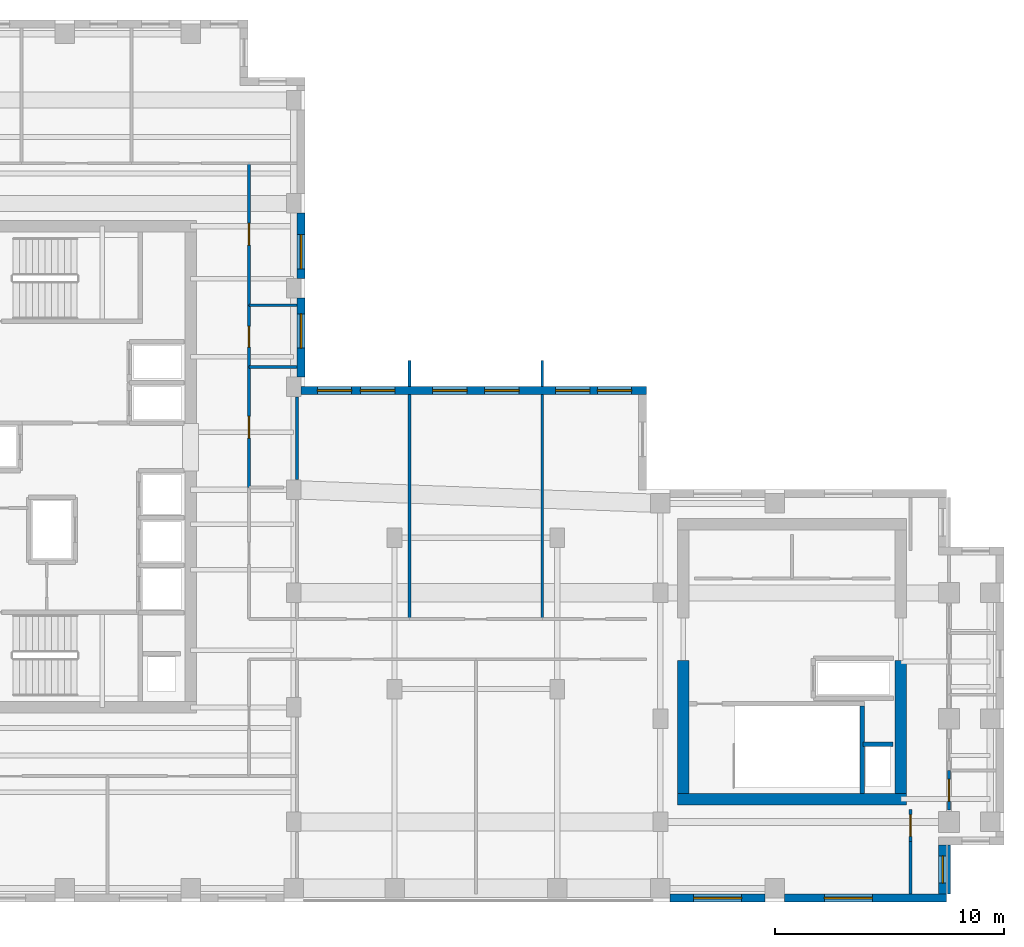
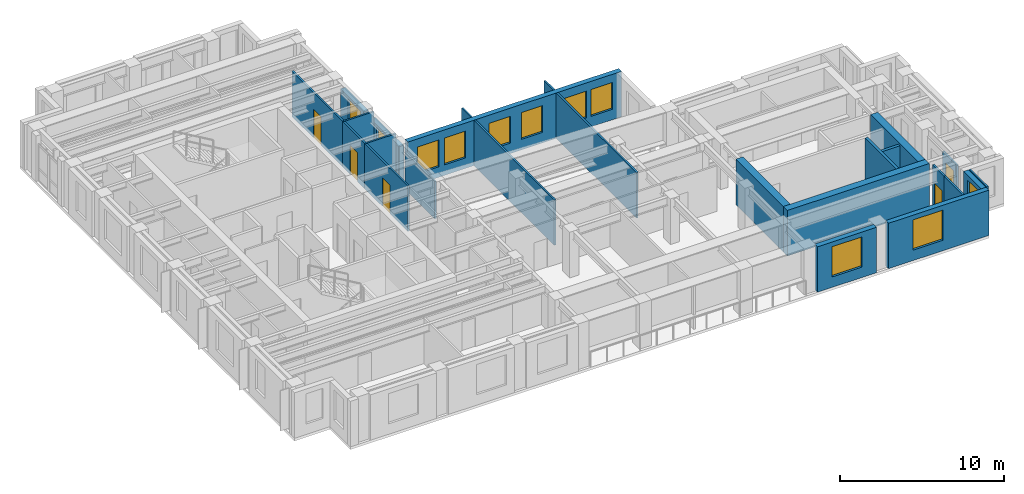
# One storey, part 8 of 13: 25 walls, 11 windows, 5 doors, 16 openings.
"""IFC4 building model written with IfcOpenShell, lengths in metres."""

from ifc_helpers import new_model, si_unit, direction, frame, frame_2d, origin, place, context, subcontext, project, spatial, rectangle, extrude, source, transform, mapped, material, layer, layer_set, type_object, element, fill, save


model = new_model("IFC4")

# Units and contexts
model_context = context("Model", 3, precision=1e-05, world=origin(), true_north=direction((0.0, 1.0)))
body_context = subcontext(model_context, "Body", "Model", "MODEL_VIEW")
ifc_project = project(units=[si_unit("LENGTHUNIT", "METRE"), si_unit("AREAUNIT", "SQUARE_METRE"), si_unit("VOLUMEUNIT", "CUBIC_METRE"), si_unit("PLANEANGLEUNIT", "RADIAN"), si_unit("MASSUNIT", "GRAM", prefix="KILO")], contexts=[model_context])

# Site, building, storey
site_placement = place(None, origin())
site = spatial("IfcSite", under=ifc_project, at=site_placement, CompositionType="ELEMENT")
building_placement = place(site_placement, origin())
building = spatial("IfcBuilding", under=site, at=building_placement, Name="Kharzan Plaza Tower", CompositionType="ELEMENT")
storey_placement = place(building_placement, frame((0.0, 0.0, 259.199951171875)))
storey = spatial("IfcBuildingStorey", under=building, at=storey_placement, Name="L70", CompositionType="ELEMENT", Elevation=259.199951171875)

# Wall, openings, windows
ifc_material_1 = material(Name="Concrete C40/50", Category="concrete")
ifc_layer_1 = layer(ifc_material_1, 0.35009765625)
ifc_layer_set_1 = layer_set([ifc_layer_1], Name="Concrete C40/50")
wall_type_1 = type_object("IfcWallType", Name="WL-EXT-MAS-Z4", PredefinedType="SOLIDWALL", material=ifc_layer_set_1)
wall_1_placement = place(storey_placement, frame((34.39990234375, 22.324951171875, 0.0), z_axis=(0.0, 0.0, 1.0), x_axis=(-1.0, 0.0, 0.0)))
wall_1 = element("IfcWall", 1, at=wall_1_placement, inside=storey, type_object=wall_type_1, Name="L70 Masonry-Frame Exterior Wall 01", PredefinedType="SOLIDWALL", context=body_context, shape_type="SweptSolid", body=[
    extrude(rectangle(XDim=15.076904296875, YDim=0.35009765625, at=frame_2d((7.53857421875, 0.0))), origin(), (0.0, 0.0, 1.0), 3.385009765625),
])
opening_1_placement = place(wall_1_placement, frame((0.646728515625, 0.0, 0.780029296875)))
opening_1 = element("IfcOpeningElement", 2, at=opening_1_placement, cuts=wall_1, Name="Opening W5", PredefinedType="OPENING", context=body_context, shape_type="SweptSolid", body=[
    extrude(rectangle(XDim=1.5, YDim=2.0, at=frame_2d((0.75, 1.0))), frame((0.0, 0.18505859375, 0.0), z_axis=(0.0, -1.0, 0.0), x_axis=(1.0, 0.0, 0.0)), (0.0, 0.0, 1.0), 0.3701171875),
])
opening_2_placement = place(wall_1_placement, frame((2.473388671875, 0.0, 0.780029296875)))
opening_2 = element("IfcOpeningElement", 3, at=opening_2_placement, cuts=wall_1, Name="Opening W5", PredefinedType="OPENING", context=body_context, shape_type="SweptSolid", body=[
    extrude(rectangle(XDim=1.5, YDim=2.0, at=frame_2d((0.75, 1.0))), frame((0.0, 0.18505859375, 0.0), z_axis=(0.0, -1.0, 0.0), x_axis=(1.0, 0.0, 0.0)), (0.0, 0.0, 1.0), 0.3701171875),
])
opening_3_placement = place(wall_1_placement, frame((5.566650390625, 0.0, 0.780029296875)))
opening_3 = element("IfcOpeningElement", 4, at=opening_3_placement, cuts=wall_1, Name="Opening W5", PredefinedType="OPENING", context=body_context, shape_type="SweptSolid", body=[
    extrude(rectangle(XDim=1.5, YDim=2.0, at=frame_2d((0.75, 1.0))), frame((0.0, 0.18505859375, 0.0), z_axis=(0.0, -1.0, 0.0), x_axis=(1.0, 0.0, 0.0)), (0.0, 0.0, 1.0), 0.3701171875),
])
opening_4_placement = place(wall_1_placement, frame((7.833251953125, 0.0, 0.780029296875)))
opening_4 = element("IfcOpeningElement", 5, at=opening_4_placement, cuts=wall_1, Name="Opening W5", PredefinedType="OPENING", context=body_context, shape_type="SweptSolid", body=[
    extrude(rectangle(XDim=1.5, YDim=2.0, at=frame_2d((0.75, 1.0))), frame((0.0, 0.18505859375, 0.0), z_axis=(0.0, -1.0, 0.0), x_axis=(1.0, 0.0, 0.0)), (0.0, 0.0, 1.0), 0.3701171875),
])
opening_5_placement = place(wall_1_placement, frame((10.985595703125, 0.0, 0.780029296875)))
opening_5 = element("IfcOpeningElement", 6, at=opening_5_placement, cuts=wall_1, Name="Opening W5", PredefinedType="OPENING", context=body_context, shape_type="SweptSolid", body=[
    extrude(rectangle(XDim=1.5, YDim=2.0, at=frame_2d((0.75, 1.0))), frame((0.0, 0.18505859375, 0.0), z_axis=(0.0, -1.0, 0.0), x_axis=(1.0, 0.0, 0.0)), (0.0, 0.0, 1.0), 0.3701171875),
])
opening_6_placement = place(wall_1_placement, frame((12.871337890625, 0.0, 0.780029296875)))
opening_6 = element("IfcOpeningElement", 7, at=opening_6_placement, cuts=wall_1, Name="Opening W5", PredefinedType="OPENING", context=body_context, shape_type="SweptSolid", body=[
    extrude(rectangle(XDim=1.5, YDim=2.0, at=frame_2d((0.75, 1.0))), frame((0.0, 0.18505859375, 0.0), z_axis=(0.0, -1.0, 0.0), x_axis=(1.0, 0.0, 0.0)), (0.0, 0.0, 1.0), 0.3701171875),
])
ifc_material_2 = material(Name="Low-E Double Glazing", Category="glass")
window_type_1 = type_object("IfcWindowType", Name="WN-SLT-1500x2000", PartitioningType="SINGLE_PANEL", PredefinedType="WINDOW", material=ifc_material_2)
shared_shape_1 = source(origin(), body_context, "Body", "SweptSolid", [
    extrude(rectangle(XDim=1.5, YDim=2.0, at=frame_2d((0.75, 1.0))), frame((0.0, 0.030029296875, 0.0), z_axis=(0.0, -1.0, 0.0), x_axis=(1.0, 0.0, 0.0)), (0.0, 0.0, 1.0), 0.06005859375),
])
window_1_placement = place(opening_1_placement, origin())
window_1 = element("IfcWindow", 8, at=window_1_placement, inside=storey, type_object=window_type_1, Name="L70 Recessed Solar-Control Window 01-1", OverallHeight=2.0, OverallWidth=1.5, PartitioningType="SINGLE_PANEL", PredefinedType="WINDOW", context=body_context, shape_type="MappedRepresentation", body=[
    mapped(shared_shape_1, transform((0.0, 0.0, 0.0), x_axis=(1.0, 0.0, 0.0), y_axis=(0.0, 1.0, 0.0), z_axis=(0.0, 0.0, 1.0))),
])
fill(opening_1, window_1)
window_2_placement = place(opening_2_placement, origin())
window_2 = element("IfcWindow", 9, at=window_2_placement, inside=storey, type_object=window_type_1, Name="L70 Recessed Solar-Control Window 01-2", OverallHeight=2.0, OverallWidth=1.5, PartitioningType="SINGLE_PANEL", PredefinedType="WINDOW", context=body_context, shape_type="MappedRepresentation", body=[
    mapped(shared_shape_1, transform((0.0, 0.0, 0.0), x_axis=(1.0, 0.0, 0.0), y_axis=(0.0, 1.0, 0.0), z_axis=(0.0, 0.0, 1.0))),
])
fill(opening_2, window_2)
window_3_placement = place(opening_3_placement, origin())
window_3 = element("IfcWindow", 10, at=window_3_placement, inside=storey, type_object=window_type_1, Name="L70 Recessed Solar-Control Window 01-3", OverallHeight=2.0, OverallWidth=1.5, PartitioningType="SINGLE_PANEL", PredefinedType="WINDOW", context=body_context, shape_type="MappedRepresentation", body=[
    mapped(shared_shape_1, transform((0.0, 0.0, 0.0), x_axis=(1.0, 0.0, 0.0), y_axis=(0.0, 1.0, 0.0), z_axis=(0.0, 0.0, 1.0))),
])
fill(opening_3, window_3)
window_4_placement = place(opening_4_placement, origin())
window_4 = element("IfcWindow", 11, at=window_4_placement, inside=storey, type_object=window_type_1, Name="L70 Recessed Solar-Control Window 01-4", OverallHeight=2.0, OverallWidth=1.5, PartitioningType="SINGLE_PANEL", PredefinedType="WINDOW", context=body_context, shape_type="MappedRepresentation", body=[
    mapped(shared_shape_1, transform((0.0, 0.0, 0.0), x_axis=(1.0, 0.0, 0.0), y_axis=(0.0, 1.0, 0.0), z_axis=(0.0, 0.0, 1.0))),
])
fill(opening_4, window_4)
window_5_placement = place(opening_5_placement, origin())
window_5 = element("IfcWindow", 12, at=window_5_placement, inside=storey, type_object=window_type_1, Name="L70 Recessed Solar-Control Window 01-5", OverallHeight=2.0, OverallWidth=1.5, PartitioningType="SINGLE_PANEL", PredefinedType="WINDOW", context=body_context, shape_type="MappedRepresentation", body=[
    mapped(shared_shape_1, transform((0.0, 0.0, 0.0), x_axis=(1.0, 0.0, 0.0), y_axis=(0.0, 1.0, 0.0), z_axis=(0.0, 0.0, 1.0))),
])
fill(opening_5, window_5)
window_6_placement = place(opening_6_placement, origin())
window_6 = element("IfcWindow", 13, at=window_6_placement, inside=storey, type_object=window_type_1, Name="L70 Recessed Solar-Control Window 01-6", OverallHeight=2.0, OverallWidth=1.5, PartitioningType="SINGLE_PANEL", PredefinedType="WINDOW", context=body_context, shape_type="MappedRepresentation", body=[
    mapped(shared_shape_1, transform((0.0, 0.0, 0.0), x_axis=(1.0, 0.0, 0.0), y_axis=(0.0, 1.0, 0.0), z_axis=(0.0, 0.0, 1.0))),
])
fill(opening_6, window_6)

# Wall, opening, window
wall_2_placement = place(storey_placement, frame((19.324951171875, 22.923095703125, 0.0), z_axis=(0.0, 0.0, 1.0), x_axis=(0.0, 1.0, 0.0)))
wall_2 = element("IfcWall", 14, at=wall_2_placement, inside=storey, type_object=wall_type_1, Name="L70 Masonry-Frame Exterior Wall 02", PredefinedType="SOLIDWALL", context=body_context, shape_type="SweptSolid", body=[
    extrude(rectangle(XDim=3.453857421875, YDim=0.35009765625, at=frame_2d((1.72705078125, 0.0))), origin(), (0.0, 0.0, 1.0), 2.619140625),
])
opening_7_placement = place(wall_2_placement, frame((1.255615234375, 0.0, 0.780029296875)))
opening_7 = element("IfcOpeningElement", 15, at=opening_7_placement, cuts=wall_2, Name="Opening W5", PredefinedType="OPENING", context=body_context, shape_type="SweptSolid", body=[
    extrude(rectangle(XDim=1.5, YDim=1.658935546875, at=frame_2d((0.75, 0.82958984375))), frame((0.0, 0.18505859375, 0.0), z_axis=(0.0, -1.0, 0.0), x_axis=(1.0, 0.0, 0.0)), (0.0, 0.0, 1.0), 0.3701171875),
])
shared_shape_2 = source(origin(), body_context, "Body", "SweptSolid", [
    extrude(rectangle(XDim=1.5, YDim=1.658935546875, at=frame_2d((0.75, 0.82958984375))), frame((0.0, 0.030029296875, 0.0), z_axis=(0.0, -1.0, 0.0), x_axis=(1.0, 0.0, 0.0)), (0.0, 0.0, 1.0), 0.06005859375),
])
window_7_placement = place(opening_7_placement, origin())
window_7 = element("IfcWindow", 16, at=window_7_placement, inside=storey, type_object=window_type_1, Name="L70 Recessed Solar-Control Window 02-1", OverallHeight=1.658935546875, OverallWidth=1.5, PartitioningType="SINGLE_PANEL", PredefinedType="WINDOW", context=body_context, shape_type="MappedRepresentation", body=[
    mapped(shared_shape_2, transform((0.0, 0.0, 0.0), x_axis=(1.0, 0.0, 0.0), y_axis=(0.0, 1.0, 0.0), z_axis=(0.0, 0.0, 1.0))),
])
fill(opening_7, window_7)

wall_3_placement = place(storey_placement, frame((19.324951171875, 27.222900390625, 0.0), z_axis=(0.0, 0.0, 1.0), x_axis=(0.0, 1.0, 0.0)))
wall_3 = element("IfcWall", 17, at=wall_3_placement, inside=storey, type_object=wall_type_1, Name="L70 Masonry-Frame Exterior Wall 03", PredefinedType="SOLIDWALL", context=body_context, shape_type="SweptSolid", body=[
    extrude(rectangle(XDim=2.85400390625, YDim=0.35009765625, at=frame_2d((1.427001953125, 0.0))), origin(), (0.0, 0.0, 1.0), 2.619140625),
])
opening_8_placement = place(wall_3_placement, frame((0.411376953125, 0.0, 0.780029296875)))
opening_8 = element("IfcOpeningElement", 18, at=opening_8_placement, cuts=wall_3, Name="Opening W5", PredefinedType="OPENING", context=body_context, shape_type="SweptSolid", body=[
    extrude(rectangle(XDim=1.5, YDim=1.658935546875, at=frame_2d((0.75, 0.82958984375))), frame((0.0, 0.18505859375, 0.0), z_axis=(0.0, -1.0, 0.0), x_axis=(1.0, 0.0, 0.0)), (0.0, 0.0, 1.0), 0.3701171875),
])
window_8_placement = place(opening_8_placement, origin())
window_8 = element("IfcWindow", 19, at=window_8_placement, inside=storey, type_object=window_type_1, Name="L70 Recessed Solar-Control Window 03-1", OverallHeight=1.658935546875, OverallWidth=1.5, PartitioningType="SINGLE_PANEL", PredefinedType="WINDOW", context=body_context, shape_type="MappedRepresentation", body=[
    mapped(shared_shape_2, transform((0.0, 0.0, 0.0), x_axis=(1.0, 0.0, 0.0), y_axis=(0.0, 1.0, 0.0), z_axis=(0.0, 0.0, 1.0))),
])
fill(opening_8, window_8)

wall_4_placement = place(storey_placement, frame((35.423095703125, 0.175048828125, 0.0), z_axis=(0.0, 0.0, 1.0), x_axis=(1.0, 0.0, 0.0)))
wall_4 = element("IfcWall", 20, at=wall_4_placement, inside=storey, type_object=wall_type_1, Name="L70 Masonry-Frame Exterior Wall 30", PredefinedType="SOLIDWALL", context=body_context, shape_type="SweptSolid", body=[
    extrude(rectangle(XDim=4.15380859375, YDim=0.35009765625, at=frame_2d((2.076904296875, 0.0))), origin(), (0.0, 0.0, 1.0), 3.385009765625),
])
opening_9_placement = place(wall_4_placement, frame((1.027099609375, 0.0, 0.780029296875)))
opening_9 = element("IfcOpeningElement", 21, at=opening_9_placement, cuts=wall_4, Name="Opening W6", PredefinedType="OPENING", context=body_context, shape_type="SweptSolid", body=[
    extrude(rectangle(XDim=2.10009765625, YDim=2.25, at=frame_2d((1.050048828125, 1.125))), frame((0.0, 0.18505859375, 0.0), z_axis=(0.0, -1.0, 0.0), x_axis=(1.0, 0.0, 0.0)), (0.0, 0.0, 1.0), 0.3701171875),
])
window_type_2 = type_object("IfcWindowType", Name="WN-EXEC-2100x2250", PartitioningType="SINGLE_PANEL", PredefinedType="WINDOW", material=ifc_material_2)
shared_shape_3 = source(origin(), body_context, "Body", "SweptSolid", [
    extrude(rectangle(XDim=2.10009765625, YDim=2.25, at=frame_2d((1.050048828125, 1.125))), frame((0.0, 0.030029296875, 0.0), z_axis=(0.0, -1.0, 0.0), x_axis=(1.0, 0.0, 0.0)), (0.0, 0.0, 1.0), 0.06005859375),
])
window_9_placement = place(opening_9_placement, origin())
window_9 = element("IfcWindow", 22, at=window_9_placement, inside=storey, type_object=window_type_2, Name="L70 Recessed Solar-Control Window 30-1", OverallHeight=2.25, OverallWidth=2.10009765625, PartitioningType="SINGLE_PANEL", PredefinedType="WINDOW", context=body_context, shape_type="MappedRepresentation", body=[
    mapped(shared_shape_3, transform((0.0, 0.0, 0.0), x_axis=(1.0, 0.0, 0.0), y_axis=(0.0, 1.0, 0.0), z_axis=(0.0, 0.0, 1.0))),
])
fill(opening_9, window_9)

wall_5_placement = place(storey_placement, frame((40.423095703125, 0.175048828125, 0.0), z_axis=(0.0, 0.0, 1.0), x_axis=(1.0, 0.0, 0.0)))
wall_5 = element("IfcWall", 23, at=wall_5_placement, inside=storey, type_object=wall_type_1, Name="L70 Masonry-Frame Exterior Wall 31", PredefinedType="SOLIDWALL", context=body_context, shape_type="SweptSolid", body=[
    extrude(rectangle(XDim=7.076904296875, YDim=0.35009765625, at=frame_2d((3.53857421875, 0.0))), origin(), (0.0, 0.0, 1.0), 3.385009765625),
])
opening_10_placement = place(wall_5_placement, frame((1.7333984375, 0.0, 0.780029296875)))
opening_10 = element("IfcOpeningElement", 24, at=opening_10_placement, cuts=wall_5, Name="Opening W6", PredefinedType="OPENING", context=body_context, shape_type="SweptSolid", body=[
    extrude(rectangle(XDim=2.10009765625, YDim=2.25, at=frame_2d((1.050048828125, 1.125))), frame((0.0, 0.18505859375, 0.0), z_axis=(0.0, -1.0, 0.0), x_axis=(1.0, 0.0, 0.0)), (0.0, 0.0, 1.0), 0.3701171875),
])
window_10_placement = place(opening_10_placement, origin())
window_10 = element("IfcWindow", 25, at=window_10_placement, inside=storey, type_object=window_type_2, Name="L70 Recessed Solar-Control Window 31-1", OverallHeight=2.25, OverallWidth=2.10009765625, PartitioningType="SINGLE_PANEL", PredefinedType="WINDOW", context=body_context, shape_type="MappedRepresentation", body=[
    mapped(shared_shape_3, transform((0.0, 0.0, 0.0), x_axis=(1.0, 0.0, 0.0), y_axis=(0.0, 1.0, 0.0), z_axis=(0.0, 0.0, 1.0))),
])
fill(opening_10, window_10)

wall_6_placement = place(storey_placement, frame((47.324951171875, 0.347900390625, 0.0), z_axis=(0.0, 0.0, 1.0), x_axis=(0.0, 1.0, 0.0)))
wall_6 = element("IfcWall", 26, at=wall_6_placement, inside=storey, type_object=wall_type_1, Name="L70 Masonry-Frame Exterior Wall 32", PredefinedType="SOLIDWALL", context=body_context, shape_type="SweptSolid", body=[
    extrude(rectangle(XDim=2.154052734375, YDim=0.35009765625, at=frame_2d((1.0771484375, 0.0))), origin(), (0.0, 0.0, 1.0), 3.385009765625),
])
opening_11_placement = place(wall_6_placement, frame((0.47705078125, 0.0, 0.780029296875)))
opening_11 = element("IfcOpeningElement", 27, at=opening_11_placement, cuts=wall_6, Name="Opening W3", PredefinedType="OPENING", context=body_context, shape_type="SweptSolid", body=[
    extrude(rectangle(XDim=1.199951171875, YDim=2.25, at=frame_2d((0.60009765625, 1.125))), frame((0.0, 0.18505859375, 0.0), z_axis=(0.0, -1.0, 0.0), x_axis=(1.0, 0.0, 0.0)), (0.0, 0.0, 1.0), 0.3701171875),
])
window_type_3 = type_object("IfcWindowType", Name="WN-REC-1200x2100", PartitioningType="SINGLE_PANEL", PredefinedType="WINDOW", material=ifc_material_2)
shared_shape_4 = source(origin(), body_context, "Body", "SweptSolid", [
    extrude(rectangle(XDim=1.199951171875, YDim=2.25, at=frame_2d((0.60009765625, 1.125))), frame((0.0, 0.030029296875, 0.0), z_axis=(0.0, -1.0, 0.0), x_axis=(1.0, 0.0, 0.0)), (0.0, 0.0, 1.0), 0.06005859375),
])
window_11_placement = place(opening_11_placement, origin())
window_11 = element("IfcWindow", 28, at=window_11_placement, inside=storey, type_object=window_type_3, Name="L70 Recessed Solar-Control Window 32-1", OverallHeight=2.25, OverallWidth=1.199951171875, PartitioningType="SINGLE_PANEL", PredefinedType="WINDOW", context=body_context, shape_type="MappedRepresentation", body=[
    mapped(shared_shape_4, transform((0.0, 0.0, 0.0), x_axis=(1.0, 0.0, 0.0), y_axis=(0.0, 1.0, 0.0), z_axis=(0.0, 0.0, 1.0))),
])
fill(opening_11, window_11)

# Wall, opening, door
ifc_material_3 = material(Name="Fire-Rated Gypsum Board Partition", Category="gypsum")
ifc_layer_2 = layer(ifc_material_3, 0.125)
ifc_layer_set_2 = layer_set([ifc_layer_2], Name="Fire-Rated Gypsum Board Partition")
wall_type_2 = type_object("IfcWallType", Name="WL-INT-PART-125", PredefinedType="PARTITIONING", material=ifc_layer_set_2)
wall_7_placement = place(storey_placement, frame((17.050048828125, 18.10009765625, 0.0), z_axis=(0.0, 0.0, 1.0), x_axis=(0.0, 1.0, 0.0)))
wall_7 = element("IfcWall", 29, at=wall_7_placement, inside=storey, type_object=wall_type_2, Name="L70 Interior Partition SH-AEWN2", PredefinedType="PARTITIONING", context=body_context, shape_type="SweptSolid", body=[
    extrude(rectangle(XDim=5.25, YDim=0.125, at=frame_2d((2.625, 0.0))), origin(), (0.0, 0.0, 1.0), 3.385009765625),
])
opening_12_placement = place(wall_7_placement, frame((2.14990234375, 0.0, 0.0)))
opening_12 = element("IfcOpeningElement", 30, at=opening_12_placement, cuts=wall_7, Name="Opening OD1", PredefinedType="OPENING", context=body_context, shape_type="SweptSolid", body=[
    extrude(rectangle(XDim=0.949951171875, YDim=2.14990234375, at=frame_2d((0.47509765625, 1.074951171875))), frame((0.0, 0.072509765625, 0.0), z_axis=(0.0, -1.0, 0.0), x_axis=(1.0, 0.0, 0.0)), (0.0, 0.0, 1.0), 0.14501953125),
])
ifc_material_4 = material(Name="Acoustic Solid-Core Stained Oak", Category="timber")
door_type_1 = type_object("IfcDoorType", Name="DR-OFF-SINGLE", OperationType="NOTDEFINED", PredefinedType="DOOR", material=ifc_material_4)
shared_shape_5 = source(origin(), body_context, "Body", "SweptSolid", [
    extrude(rectangle(XDim=0.949951171875, YDim=2.14990234375, at=frame_2d((0.47509765625, 1.074951171875))), frame((0.0, 0.02490234375, 0.0), z_axis=(0.0, -1.0, 0.0), x_axis=(1.0, 0.0, 0.0)), (0.0, 0.0, 1.0), 0.050048828125),
])
door_1_placement = place(opening_12_placement, origin())
door_1 = element("IfcDoor", 31, at=door_1_placement, inside=storey, type_object=door_type_1, Name="L70 Slot Studio Door", OperationType="SINGLE_SWING_RIGHT", OverallHeight=2.14990234375, OverallWidth=0.949951171875, PredefinedType="DOOR", context=body_context, shape_type="MappedRepresentation", body=[
    mapped(shared_shape_5, transform((0.0, 0.0, 0.0), x_axis=(1.0, 0.0, 0.0), y_axis=(0.0, 1.0, 0.0), z_axis=(0.0, 0.0, 1.0))),
])
fill(opening_12, door_1)

wall_8_placement = place(storey_placement, frame((17.050048828125, 26.050048828125, 0.0), z_axis=(0.0, 0.0, 1.0), x_axis=(0.0, 1.0, 0.0)))
wall_8 = element("IfcWall", 32, at=wall_8_placement, inside=storey, type_object=wall_type_2, Name="L70 Interior Partition SH-AEWN3", PredefinedType="PARTITIONING", context=body_context, shape_type="SweptSolid", body=[
    extrude(rectangle(XDim=6.199951171875, YDim=0.125, at=frame_2d((3.10009765625, 0.0))), origin(), (0.0, 0.0, 1.0), 3.385009765625),
])
opening_13_placement = place(wall_8_placement, frame((2.625, 0.0, 0.0)))
opening_13 = element("IfcOpeningElement", 33, at=opening_13_placement, cuts=wall_8, Name="Opening OD1", PredefinedType="OPENING", context=body_context, shape_type="SweptSolid", body=[
    extrude(rectangle(XDim=0.949951171875, YDim=2.14990234375, at=frame_2d((0.47509765625, 1.074951171875))), frame((0.0, 0.072509765625, 0.0), z_axis=(0.0, -1.0, 0.0), x_axis=(1.0, 0.0, 0.0)), (0.0, 0.0, 1.0), 0.14501953125),
])
door_2_placement = place(opening_13_placement, origin())
door_2 = element("IfcDoor", 34, at=door_2_placement, inside=storey, type_object=door_type_1, Name="L70 Staff Tea Point Door", OperationType="SINGLE_SWING_RIGHT", OverallHeight=2.14990234375, OverallWidth=0.949951171875, PredefinedType="DOOR", context=body_context, shape_type="MappedRepresentation", body=[
    mapped(shared_shape_5, transform((0.0, 0.0, 0.0), x_axis=(1.0, 0.0, 0.0), y_axis=(0.0, 1.0, 0.0), z_axis=(0.0, 0.0, 1.0))),
])
fill(opening_13, door_2)

wall_9_placement = place(storey_placement, frame((17.050048828125, 23.35009765625, 0.0), z_axis=(0.0, 0.0, 1.0), x_axis=(0.0, 1.0, 0.0)))
wall_9 = element("IfcWall", 35, at=wall_9_placement, inside=storey, type_object=wall_type_2, Name="L70 Interior Partition SH-AEWW", PredefinedType="PARTITIONING", context=body_context, shape_type="SweptSolid", body=[
    extrude(rectangle(XDim=2.699951171875, YDim=0.125, at=frame_2d((1.35009765625, 0.0))), origin(), (0.0, 0.0, 1.0), 3.385009765625),
])
opening_14_placement = place(wall_9_placement, frame((0.875, 0.0, 0.0)))
opening_14 = element("IfcOpeningElement", 36, at=opening_14_placement, cuts=wall_9, Name="Opening WD1", PredefinedType="OPENING", context=body_context, shape_type="SweptSolid", body=[
    extrude(rectangle(XDim=0.89990234375, YDim=2.14990234375, at=frame_2d((0.449951171875, 1.074951171875))), frame((0.0, 0.072509765625, 0.0), z_axis=(0.0, -1.0, 0.0), x_axis=(1.0, 0.0, 0.0)), (0.0, 0.0, 1.0), 0.14501953125),
])
ifc_material_5 = material(Name="Moisture-Resistant Fire-Rated Laminate", Category="timber")
door_type_2 = type_object("IfcDoorType", Name="DR-WC-900", OperationType="NOTDEFINED", PredefinedType="DOOR", material=ifc_material_5)
shared_shape_6 = source(origin(), body_context, "Body", "SweptSolid", [
    extrude(rectangle(XDim=0.89990234375, YDim=2.14990234375, at=frame_2d((0.449951171875, 1.074951171875))), frame((0.0, 0.02490234375, 0.0), z_axis=(0.0, -1.0, 0.0), x_axis=(1.0, 0.0, 0.0)), (0.0, 0.0, 1.0), 0.050048828125),
])
door_3_placement = place(opening_14_placement, origin())
door_3 = element("IfcDoor", 37, at=door_3_placement, inside=storey, type_object=door_type_2, Name="L70 Wing A Washroom Door", OperationType="SINGLE_SWING_LEFT", OverallHeight=2.14990234375, OverallWidth=0.89990234375, PredefinedType="DOOR", context=body_context, shape_type="MappedRepresentation", body=[
    mapped(shared_shape_6, transform((0.0, 0.0, 0.0), x_axis=(1.0, 0.0, 0.0), y_axis=(0.0, 1.0, 0.0), z_axis=(0.0, 0.0, 1.0))),
])
fill(opening_14, door_3)

wall_10_placement = place(storey_placement, frame((47.60009765625, 4.02001953125, 0.0), z_axis=(0.0, 0.0, 1.0), x_axis=(0.0, 1.0, 0.0)))
wall_10 = element("IfcWall", 38, at=wall_10_placement, inside=storey, type_object=wall_type_2, Name="L70 Interior Partition SH-B3W0", PredefinedType="PARTITIONING", context=body_context, shape_type="SweptSolid", body=[
    extrude(rectangle(XDim=1.72998046875, YDim=0.125, at=frame_2d((0.864990234375, 0.0))), origin(), (0.0, 0.0, 1.0), 2.77294921875),
])
opening_15_placement = place(wall_10_placement, frame((0.389892578125, 0.0, 0.0)))
opening_15 = element("IfcOpeningElement", 39, at=opening_15_placement, cuts=wall_10, Name="Opening OD1", PredefinedType="OPENING", context=body_context, shape_type="SweptSolid", body=[
    extrude(rectangle(XDim=0.949951171875, YDim=2.14990234375, at=frame_2d((0.47509765625, 1.074951171875))), frame((0.0, 0.072509765625, 0.0), z_axis=(0.0, -1.0, 0.0), x_axis=(1.0, 0.0, 0.0)), (0.0, 0.0, 1.0), 0.14501953125),
])
door_4_placement = place(opening_15_placement, origin())
door_4 = element("IfcDoor", 40, at=door_4_placement, inside=storey, type_object=door_type_1, Name="L70 Wing B Office 1 Door", OperationType="SINGLE_SWING_RIGHT", OverallHeight=2.14990234375, OverallWidth=0.949951171875, PredefinedType="DOOR", context=body_context, shape_type="MappedRepresentation", body=[
    mapped(shared_shape_5, transform((0.0, 0.0, 0.0), x_axis=(1.0, 0.0, 0.0), y_axis=(0.0, 1.0, 0.0), z_axis=(0.0, 0.0, 1.0))),
])
fill(opening_15, door_4)

wall_11_placement = place(storey_placement, frame((45.919921875, 2.64990234375, 0.0), z_axis=(0.0, 0.0, 1.0), x_axis=(0.0, 1.0, 0.0)))
wall_11 = element("IfcWall", 41, at=wall_11_placement, inside=storey, type_object=wall_type_2, Name="L70 Interior Partition SH-RBSE", PredefinedType="PARTITIONING", context=body_context, shape_type="SweptSolid", body=[
    extrude(rectangle(XDim=1.400146484375, YDim=0.125, at=frame_2d((0.7001953125, 0.0))), origin(), (0.0, 0.0, 1.0), 3.385009765625),
])
opening_16_placement = place(wall_11_placement, frame((0.22509765625, 0.0, 0.0)))
opening_16 = element("IfcOpeningElement", 42, at=opening_16_placement, cuts=wall_11, Name="Opening OD1", PredefinedType="OPENING", context=body_context, shape_type="SweptSolid", body=[
    extrude(rectangle(XDim=0.949951171875, YDim=2.14990234375, at=frame_2d((0.47509765625, 1.074951171875))), frame((0.0, 0.072509765625, 0.0), z_axis=(0.0, -1.0, 0.0), x_axis=(1.0, 0.0, 0.0)), (0.0, 0.0, 1.0), 0.14501953125),
])
door_5_placement = place(opening_16_placement, origin())
door_5 = element("IfcDoor", 43, at=door_5_placement, inside=storey, type_object=door_type_1, Name="L70 South-East Corner Office Door", OperationType="SINGLE_SWING_RIGHT", OverallHeight=2.14990234375, OverallWidth=0.949951171875, PredefinedType="DOOR", context=body_context, shape_type="MappedRepresentation", body=[
    mapped(shared_shape_5, transform((0.0, 0.0, 0.0), x_axis=(1.0, 0.0, 0.0), y_axis=(0.0, 1.0, 0.0), z_axis=(0.0, 0.0, 1.0))),
])
fill(opening_16, door_5)

# Walls
shared_shape_7 = source(origin(), body_context, "Body", "SweptSolid", [
    extrude(rectangle(XDim=2.097900390625, YDim=0.125, at=frame_2d((1.048828125, 0.0))), origin(), (0.0, 0.0, 1.0), 3.385009765625),
])
for number, where, z_axis, x_axis, name in (
    (44, (17.050048828125, 23.35009765625, 0.0), (0.0, 0.0, 1.0), (1.0, 0.0, 0.0), "L70 Interior Partition SH-AEH-233"),
    (45, (17.050048828125, 26.050048828125, 0.0), (0.0, 0.0, 1.0), (1.0, 0.0, 0.0), "L70 Interior Partition SH-AEH-260"),
):
    element("IfcWall", number, at=place(storey_placement, frame(where, z_axis=z_axis, x_axis=x_axis)), inside=storey, type_object=wall_type_2, Name=name, PredefinedType="PARTITIONING", context=body_context, shape_type="MappedRepresentation", body=[
        mapped(shared_shape_7, transform((0.0, 0.0, 0.0), x_axis=(1.0, 0.0, 0.0), y_axis=(0.0, 1.0, 0.0), z_axis=(0.0, 0.0, 1.0))),
    ])
shared_shape_8 = source(origin(), body_context, "Body", "SweptSolid", [
    extrude(rectangle(XDim=2.2978515625, YDim=0.125, at=frame_2d((1.14892578125, 0.0))), origin(), (0.0, 0.0, 1.0), 3.385009765625),
])
wall_12_placement = place(storey_placement, frame((45.919921875, 0.35205078125, 0.0), z_axis=(0.0, 0.0, 1.0), x_axis=(0.0, 1.0, 0.0)))
element("IfcWall", 46, at=wall_12_placement, inside=storey, type_object=wall_type_2, Name="L70 Interior Partition SH-RBSE0", PredefinedType="PARTITIONING", context=body_context, shape_type="MappedRepresentation", body=[
    mapped(shared_shape_8, transform((0.0, 0.0, 0.0), x_axis=(1.0, 0.0, 0.0), y_axis=(0.0, 1.0, 0.0), z_axis=(0.0, 0.0, 1.0))),
])
ifc_layer_3 = layer(ifc_material_1, 0.199951171875)
ifc_layer_set_3 = layer_set([ifc_layer_3], Name="Concrete C40/50")
wall_type_3 = type_object("IfcWallType", Name="WL-INT-SHAFT-200", PredefinedType="PARTITIONING", material=ifc_layer_set_3)
shared_shape_9 = source(origin(), body_context, "Body", "SweptSolid", [
    extrude(rectangle(XDim=1.2998046875, YDim=0.199951171875, at=frame_2d((0.64990234375, 0.0))), origin(), (0.0, 0.0, 1.0), 3.385009765625),
])
wall_13_placement = place(storey_placement, frame((43.85009765625, 6.89990234375, 0.0), z_axis=(0.0, 0.0, 1.0), x_axis=(1.0, 0.0, 0.0)))
element("IfcWall", 47, at=wall_13_placement, inside=storey, type_object=wall_type_3, Name="L70 Interior Partition CB-RSRB-N", PredefinedType="PARTITIONING", context=body_context, shape_type="MappedRepresentation", body=[
    mapped(shared_shape_9, transform((0.0, 0.0, 0.0), x_axis=(1.0, 0.0, 0.0), y_axis=(0.0, 1.0, 0.0), z_axis=(0.0, 0.0, 1.0))),
])
ifc_material_6 = material(Name="Concrete C50/60", Category="concrete")
ifc_layer_4 = layer(ifc_material_6, 0.5)
ifc_layer_set_4 = layer_set([ifc_layer_4], Name="Concrete C50/60")
wall_type_4 = type_object("IfcWallType", Name="WL-CORE-500", PredefinedType="SHEAR", material=ifc_layer_set_4)
shared_shape_10 = source(origin(), body_context, "Body", "SweptSolid", [
    extrude(rectangle(XDim=5.800048828125, YDim=0.5, at=frame_2d((2.89990234375, 0.0))), origin(), (0.0, 0.0, 1.0), 3.400146484375),
])
for number, where, z_axis, x_axis, name in (
    (48, (45.5, 4.75, 0.0), (0.0, 0.0, 1.0), (0.0, 1.0, 0.0), "L70 CORE-B east shear pier 1"),
    (49, (36.0, 4.75, 0.0), (0.0, 0.0, 1.0), (0.0, 1.0, 0.0), "L70 CORE-B west shear pier 1"),
):
    element("IfcWall", number, at=place(storey_placement, frame(where, z_axis=z_axis, x_axis=x_axis)), inside=storey, type_object=wall_type_4, Name=name, PredefinedType="SHEAR", context=body_context, shape_type="MappedRepresentation", body=[
        mapped(shared_shape_10, transform((0.0, 0.0, 0.0), x_axis=(1.0, 0.0, 0.0), y_axis=(0.0, 1.0, 0.0), z_axis=(0.0, 0.0, 1.0))),
    ])
shared_shape_11 = source(origin(), body_context, "Body", "SweptSolid", [
    extrude(rectangle(XDim=10.0, YDim=0.5, at=frame_2d((5.0, 0.0))), origin(), (0.0, 0.0, 1.0), 3.400146484375),
])
wall_14_placement = place(storey_placement, frame((35.75, 4.5, 0.0), z_axis=(0.0, 0.0, 1.0), x_axis=(1.0, 0.0, 0.0)))
element("IfcWall", 50, at=wall_14_placement, inside=storey, type_object=wall_type_4, Name="L70 CORE-B south RC shear wall", PredefinedType="SHEAR", context=body_context, shape_type="MappedRepresentation", body=[
    mapped(shared_shape_11, transform((0.0, 0.0, 0.0), x_axis=(1.0, 0.0, 0.0), y_axis=(0.0, 1.0, 0.0), z_axis=(0.0, 0.0, 1.0))),
])
shared_shape_12 = source(origin(), body_context, "Body", "SweptSolid", [
    extrude(rectangle(XDim=2.14794921875, YDim=0.125, at=frame_2d((1.073974609375, 0.0))), origin(), (0.0, 0.0, 1.0), 3.385009765625),
])
wall_15_placement = place(storey_placement, frame((47.60009765625, 0.35009765625, 0.0), z_axis=(0.0, 0.0, 1.0), x_axis=(0.0, 1.0, 0.0)))
element("IfcWall", 51, at=wall_15_placement, inside=storey, type_object=wall_type_2, Name="L70 Interior Partition SH-B3W0S", PredefinedType="PARTITIONING", context=body_context, shape_type="MappedRepresentation", body=[
    mapped(shared_shape_12, transform((0.0, 0.0, 0.0), x_axis=(1.0, 0.0, 0.0), y_axis=(0.0, 1.0, 0.0), z_axis=(0.0, 0.0, 1.0))),
])
ifc_layer_5 = layer(ifc_material_6, 0.199951171875)
ifc_layer_set_5 = layer_set([ifc_layer_5], Name="Concrete C50/60")
wall_type_5 = type_object("IfcWallType", Name="WL-SHAFT-RC200", PredefinedType="SHEAR", material=ifc_layer_set_5)
shared_shape_13 = source(origin(), body_context, "Body", "SweptSolid", [
    extrude(rectangle(XDim=3.802978515625, YDim=0.199951171875, at=frame_2d((1.9013671875, 0.0))), origin(), (0.0, 0.0, 1.0), 3.400146484375),
])
wall_16_placement = place(storey_placement, frame((43.804931640625, 4.751953125, 0.0), z_axis=(0.0, 0.0, 1.0), x_axis=(0.0, 1.0, 0.0)))
element("IfcWall", 52, at=wall_16_placement, inside=storey, type_object=wall_type_5, Name="L70 Stair ST-3 East RC Shaft Wall", PredefinedType="SHEAR", context=body_context, shape_type="MappedRepresentation", body=[
    mapped(shared_shape_13, transform((0.0, 0.0, 0.0), x_axis=(1.0, 0.0, 0.0), y_axis=(0.0, 1.0, 0.0), z_axis=(0.0, 0.0, 1.0))),
])
shared_shape_14 = source(origin(), body_context, "Body", "SweptSolid", [
    extrude(rectangle(XDim=3.60009765625, YDim=0.125, at=frame_2d((1.800048828125, 0.0))), origin(), (0.0, 0.0, 1.0), 2.77294921875),
])
wall_17_placement = place(storey_placement, frame((19.14990234375, 18.449951171875, 0.0), z_axis=(0.0, 0.0, 1.0), x_axis=(0.0, 1.0, 0.0)))
element("IfcWall", 53, at=wall_17_placement, inside=storey, type_object=wall_type_2, Name="L70 Interior Partition SH-AEN-DIV-S3", PredefinedType="PARTITIONING", context=body_context, shape_type="MappedRepresentation", body=[
    mapped(shared_shape_14, transform((0.0, 0.0, 0.0), x_axis=(1.0, 0.0, 0.0), y_axis=(0.0, 1.0, 0.0), z_axis=(0.0, 0.0, 1.0))),
])
shared_shape_15 = source(origin(), body_context, "Body", "SweptSolid", [
    extrude(rectangle(XDim=9.7978515625, YDim=0.125, at=frame_2d((4.89892578125, 0.0))), origin(), (0.0, 0.0, 1.0), 3.385009765625),
])
for number, where, z_axis, x_axis, name in (
    (54, (24.050048828125, 12.35009765625, 0.0), (0.0, 0.0, 1.0), (0.0, 1.0, 0.0), "L70 Interior Partition SH-SPML-S1"),
    (55, (29.85009765625, 12.35009765625, 0.0), (0.0, 0.0, 1.0), (0.0, 1.0, 0.0), "L70 Interior Partition SH-SPMR-S1"),
):
    element("IfcWall", number, at=place(storey_placement, frame(where, z_axis=z_axis, x_axis=x_axis)), inside=storey, type_object=wall_type_2, Name=name, PredefinedType="PARTITIONING", context=body_context, shape_type="MappedRepresentation", body=[
        mapped(shared_shape_15, transform((0.0, 0.0, 0.0), x_axis=(1.0, 0.0, 0.0), y_axis=(0.0, 1.0, 0.0), z_axis=(0.0, 0.0, 1.0))),
    ])
shared_shape_16 = source(origin(), body_context, "Body", "SweptSolid", [
    extrude(rectangle(XDim=1.14794921875, YDim=0.125, at=frame_2d((0.573974609375, 0.0))), origin(), (0.0, 0.0, 1.0), 3.385009765625),
])
for number, where, z_axis, x_axis, name in (
    (56, (24.050048828125, 22.501953125, 0.0), (0.0, 0.0, 1.0), (0.0, 1.0, 0.0), "L70 Interior Partition SH-SPML-S2"),
    (57, (29.85009765625, 22.501953125, 0.0), (0.0, 0.0, 1.0), (0.0, 1.0, 0.0), "L70 Interior Partition SH-SPMR-S2"),
):
    element("IfcWall", number, at=place(storey_placement, frame(where, z_axis=z_axis, x_axis=x_axis)), inside=storey, type_object=wall_type_2, Name=name, PredefinedType="PARTITIONING", context=body_context, shape_type="MappedRepresentation", body=[
        mapped(shared_shape_16, transform((0.0, 0.0, 0.0), x_axis=(1.0, 0.0, 0.0), y_axis=(0.0, 1.0, 0.0), z_axis=(0.0, 0.0, 1.0))),
    ])

save(model, "model.ifc")
